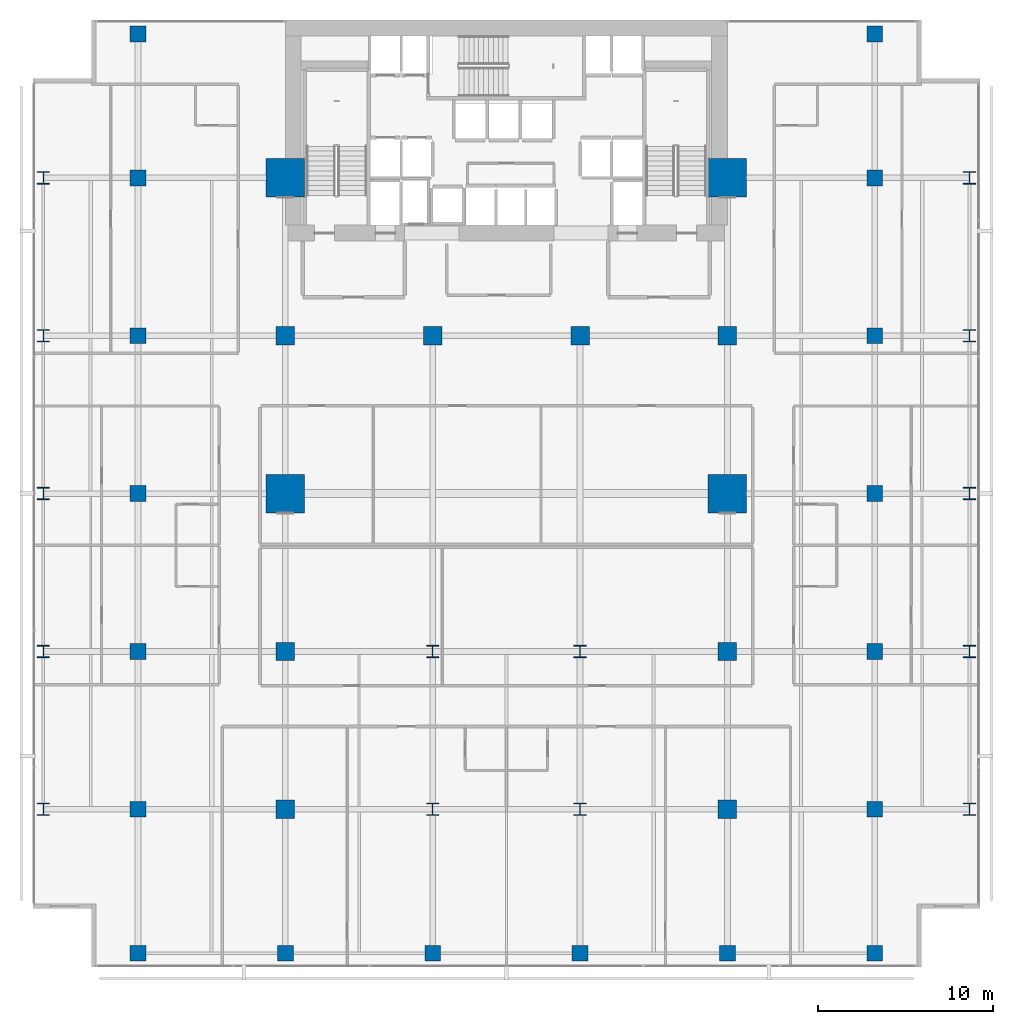
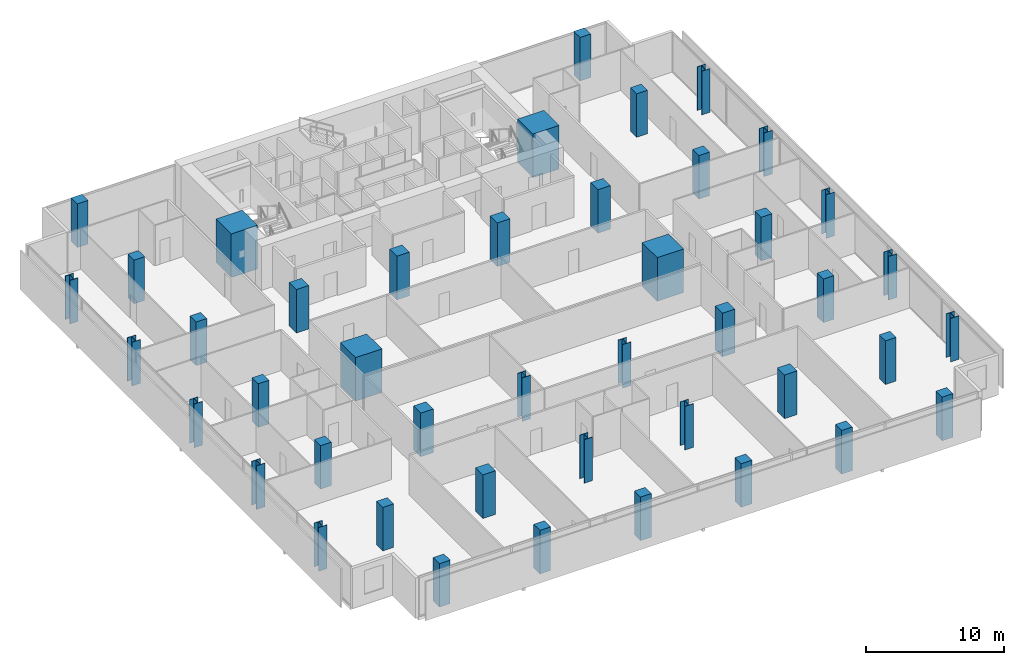
# One storey, part 1 of 39: 44 columns.
"""IFC4 building model written with IfcOpenShell, lengths in metres."""

from ifc_helpers import new_model, si_unit, direction, frame, origin, origin_2d, place, context, subcontext, project, spatial, rectangle, i_section, extrude, material, material_profile, profile_set, type_object, element, save


model = new_model("IFC4")

# Units and contexts
model_context = context("Model", 3, precision=1e-05, world=origin(), true_north=direction((0.0, 1.0)))
body_context = subcontext(model_context, "Body", "Model", "MODEL_VIEW")
ifc_project = project(units=[si_unit("LENGTHUNIT", "METRE"), si_unit("AREAUNIT", "SQUARE_METRE"), si_unit("VOLUMEUNIT", "CUBIC_METRE"), si_unit("PLANEANGLEUNIT", "RADIAN"), si_unit("MASSUNIT", "GRAM", prefix="KILO")], contexts=[model_context])

# Site, building, storey
site_placement = place(None, origin())
site = spatial("IfcSite", under=ifc_project, at=site_placement, CompositionType="ELEMENT")
building_placement = place(site_placement, origin())
building = spatial("IfcBuilding", under=site, at=building_placement, Name="Maruvema Waterfront Hotel and Observation Tower", CompositionType="ELEMENT")
storey_placement = place(building_placement, frame((0.0, 0.0, 111.64990234375)))
storey = spatial("IfcBuildingStorey", under=building, at=storey_placement, Name="L27", CompositionType="ELEMENT", Elevation=111.64990234375)

# Columns
ifc_material_1 = material(Name="Concrete C80/95", Category="concrete")
ifc_material_profile_1 = material_profile(ifc_material_1, rectangle(XDim=2.199951171875, YDim=2.199951171875, at=origin_2d()), Name="MC2200x2200")
ifc_profile_set_1 = profile_set([ifc_material_profile_1], Name="Concrete C80/95")
column_type_1 = type_object("IfcColumnType", Name="Continuous Mega-Column MC2200x2200", PredefinedType="COLUMN", material=ifc_profile_set_1)
for number, where, z_axis, x_axis, name in (
    (1, (25.199951171875, 27.0, 0.0), (0.0, 0.0, 1.0), (1.0, 0.0, 0.0), "L27 Continuous Mega-Column MC-01"),
    (2, (50.39990234375, 27.0, 0.0), (0.0, 0.0, 1.0), (1.0, 0.0, 0.0), "L27 Continuous Mega-Column MC-02"),
    (3, (25.199951171875, 45.0, 0.0), (0.0, 0.0, 1.0), (1.0, 0.0, 0.0), "L27 Continuous Mega-Column MC-03"),
    (4, (50.39990234375, 45.0, 0.0), (0.0, 0.0, 1.0), (1.0, 0.0, 0.0), "L27 Continuous Mega-Column MC-04"),
):
    element("IfcColumn", number, at=place(storey_placement, frame(where, z_axis=z_axis, x_axis=x_axis)), inside=storey, type_object=column_type_1, Name=name, PredefinedType="COLUMN", context=body_context, shape_type="SweptSolid", body=[
        extrude(rectangle(XDim=2.199951171875, YDim=2.199951171875, at=origin_2d()), origin(), (0.0, 0.0, 1.0), 3.85009765625),
    ])
ifc_material_2 = material(Name="Concrete C60/75", Category="concrete")
ifc_material_profile_2 = material_profile(ifc_material_2, rectangle(XDim=1.050048828125, YDim=1.050048828125, at=origin_2d()), Name="RC1050x1050")
ifc_profile_set_2 = profile_set([ifc_material_profile_2], Name="Concrete C60/75")
column_type_2 = type_object("IfcColumnType", Name="Reinforced Concrete Column RC1050x1050", PredefinedType="COLUMN", material=ifc_profile_set_2)
for number, where, z_axis, x_axis, name in (
    (5, (25.199951171875, 36.0, 0.0), (0.0, 0.0, 1.0), (1.0, 0.0, 0.0), "L27 Column C-4E"),
    (6, (33.60009765625, 36.0, 0.0), (0.0, 0.0, 1.0), (1.0, 0.0, 0.0), "L27 Column C-5E"),
    (7, (42.0, 36.0, 0.0), (0.0, 0.0, 1.0), (1.0, 0.0, 0.0), "L27 Column C-6E"),
    (8, (50.39990234375, 36.0, 0.0), (0.0, 0.0, 1.0), (1.0, 0.0, 0.0), "L27 Column C-7E"),
    (9, (25.199951171875, 18.0, 0.0), (0.0, 0.0, 1.0), (1.0, 0.0, 0.0), "L27 Column C-4C"),
    (10, (50.39990234375, 18.0, 0.0), (0.0, 0.0, 1.0), (1.0, 0.0, 0.0), "L27 Column C-7C"),
    (11, (25.199951171875, 9.0, 0.0), (0.0, 0.0, 1.0), (1.0, 0.0, 0.0), "L27 Column C-4B"),
    (12, (50.39990234375, 9.0, 0.0), (0.0, 0.0, 1.0), (1.0, 0.0, 0.0), "L27 Column C-7B"),
):
    element("IfcColumn", number, at=place(storey_placement, frame(where, z_axis=z_axis, x_axis=x_axis)), inside=storey, type_object=column_type_2, Name=name, PredefinedType="COLUMN", context=body_context, shape_type="SweptSolid", body=[
        extrude(rectangle(XDim=1.050048828125, YDim=1.050048828125, at=origin_2d()), origin(), (0.0, 0.0, 1.0), 3.85009765625),
    ])
ifc_material_3 = material(Name="Concrete C60/75", Category="concrete")
ifc_material_profile_3 = material_profile(ifc_material_3, rectangle(XDim=0.89990234375, YDim=0.89990234375, at=origin_2d()), Name="RC900x900")
ifc_profile_set_3 = profile_set([ifc_material_profile_3], Name="Concrete C60/75")
column_type_3 = type_object("IfcColumnType", Name="Reinforced Concrete Column RC900x900", PredefinedType="COLUMN", material=ifc_profile_set_3)
for number, where, z_axis, x_axis, name in (
    (13, (16.800048828125, 9.0, 0.0), (0.0, 0.0, 1.0), (1.0, 0.0, 0.0), "L27 Column C-3Y9"),
    (14, (58.800048828125, 9.0, 0.0), (0.0, 0.0, 1.0), (1.0, 0.0, 0.0), "L27 Column C-8Y9"),
    (15, (16.800048828125, 18.0, 0.0), (0.0, 0.0, 1.0), (1.0, 0.0, 0.0), "L27 Column C-3Y18"),
    (16, (58.800048828125, 18.0, 0.0), (0.0, 0.0, 1.0), (1.0, 0.0, 0.0), "L27 Column C-8Y18"),
    (17, (16.800048828125, 27.0, 0.0), (0.0, 0.0, 1.0), (1.0, 0.0, 0.0), "L27 Column C-3Y27"),
    (18, (58.800048828125, 27.0, 0.0), (0.0, 0.0, 1.0), (1.0, 0.0, 0.0), "L27 Column C-8Y27"),
    (19, (16.800048828125, 36.0, 0.0), (0.0, 0.0, 1.0), (1.0, 0.0, 0.0), "L27 Column C-3Y36"),
    (20, (58.800048828125, 36.0, 0.0), (0.0, 0.0, 1.0), (1.0, 0.0, 0.0), "L27 Column C-8Y36"),
    (21, (16.800048828125, 45.0, 0.0), (0.0, 0.0, 1.0), (1.0, 0.0, 0.0), "L27 Column C-3Y45"),
    (22, (58.800048828125, 45.0, 0.0), (0.0, 0.0, 1.0), (1.0, 0.0, 0.0), "L27 Column C-8Y45"),
    (23, (16.800048828125, 0.800048828125, 0.0), (0.0, 0.0, 1.0), (1.0, 0.0, 0.0), "L27 Column C-3A"),
    (24, (25.199951171875, 0.800048828125, 0.0), (0.0, 0.0, 1.0), (1.0, 0.0, 0.0), "L27 Column C-4A"),
    (25, (33.60009765625, 0.800048828125, 0.0), (0.0, 0.0, 1.0), (1.0, 0.0, 0.0), "L27 Column C-5A"),
    (26, (42.0, 0.800048828125, 0.0), (0.0, 0.0, 1.0), (1.0, 0.0, 0.0), "L27 Column C-6A"),
    (27, (50.39990234375, 0.800048828125, 0.0), (0.0, 0.0, 1.0), (1.0, 0.0, 0.0), "L27 Column C-7A"),
    (28, (58.800048828125, 0.800048828125, 0.0), (0.0, 0.0, 1.0), (1.0, 0.0, 0.0), "L27 Column C-8A"),
    (29, (16.800048828125, 53.199951171875, 0.0), (0.0, 0.0, 1.0), (1.0, 0.0, 0.0), "L27 Column C-3G"),
    (30, (58.800048828125, 53.199951171875, 0.0), (0.0, 0.0, 1.0), (1.0, 0.0, 0.0), "L27 Column C-8G"),
):
    element("IfcColumn", number, at=place(storey_placement, frame(where, z_axis=z_axis, x_axis=x_axis)), inside=storey, type_object=column_type_3, Name=name, PredefinedType="COLUMN", context=body_context, shape_type="SweptSolid", body=[
        extrude(rectangle(XDim=0.89990234375, YDim=0.89990234375, at=origin_2d()), origin(), (0.0, 0.0, 1.0), 3.85009765625),
    ])
ifc_material_4 = material(Name="Steel ABNT NBR 7007 AR 415 (ASTM A572 Grade 50)", Category="steel")
ifc_material_profile_4 = material_profile(ifc_material_4, i_section(OverallWidth=0.699951171875, OverallDepth=0.699951171875, WebThickness=0.028076171875, FlangeThickness=0.0439453125, at=origin_2d()), Name="CVS700x436")
ifc_profile_set_4 = profile_set([ifc_material_profile_4], Name="Steel ABNT NBR 7007 AR 415 (ASTM A572 Grade 50)")
column_type_4 = type_object("IfcColumnType", Name="Structural Steel Column CVS700x436", PredefinedType="COLUMN", material=ifc_profile_set_4)
for number, where, z_axis, x_axis, name in (
    (31, (33.60009765625, 9.0, 0.0), (0.0, 0.0, 1.0), (1.0, 0.0, 0.0), "L27 Column C-5B"),
    (32, (42.0, 9.0, 0.0), (0.0, 0.0, 1.0), (1.0, 0.0, 0.0), "L27 Column C-6B"),
    (33, (33.60009765625, 18.0, 0.0), (0.0, 0.0, 1.0), (1.0, 0.0, 0.0), "L27 Column C-5C"),
    (34, (42.0, 18.0, 0.0), (0.0, 0.0, 1.0), (1.0, 0.0, 0.0), "L27 Column C-6C"),
    (35, (11.39990234375, 9.0, 0.0), (0.0, 0.0, 1.0), (1.0, 0.0, 0.0), "L27 Column C-Z1W9"),
    (36, (64.199951171875, 9.0, 0.0), (0.0, 0.0, 1.0), (1.0, 0.0, 0.0), "L27 Column C-Z1E9"),
    (37, (11.39990234375, 18.0, 0.0), (0.0, 0.0, 1.0), (1.0, 0.0, 0.0), "L27 Column C-Z1W18"),
    (38, (64.199951171875, 18.0, 0.0), (0.0, 0.0, 1.0), (1.0, 0.0, 0.0), "L27 Column C-Z1E18"),
    (39, (11.39990234375, 27.0, 0.0), (0.0, 0.0, 1.0), (1.0, 0.0, 0.0), "L27 Column C-Z1W27"),
    (40, (64.199951171875, 27.0, 0.0), (0.0, 0.0, 1.0), (1.0, 0.0, 0.0), "L27 Column C-Z1E27"),
    (41, (11.39990234375, 36.0, 0.0), (0.0, 0.0, 1.0), (1.0, 0.0, 0.0), "L27 Column C-Z1W36"),
    (42, (64.199951171875, 36.0, 0.0), (0.0, 0.0, 1.0), (1.0, 0.0, 0.0), "L27 Column C-Z1E36"),
    (43, (11.39990234375, 45.0, 0.0), (0.0, 0.0, 1.0), (1.0, 0.0, 0.0), "L27 Column C-Z1W45"),
    (44, (64.199951171875, 45.0, 0.0), (0.0, 0.0, 1.0), (1.0, 0.0, 0.0), "L27 Column C-Z1E45"),
):
    element("IfcColumn", number, at=place(storey_placement, frame(where, z_axis=z_axis, x_axis=x_axis)), inside=storey, type_object=column_type_4, Name=name, PredefinedType="COLUMN", context=body_context, shape_type="SweptSolid", body=[
        extrude(i_section(OverallWidth=0.699951171875, OverallDepth=0.699951171875, WebThickness=0.028076171875, FlangeThickness=0.0439453125, at=origin_2d()), origin(), (0.0, 0.0, 1.0), 3.85009765625),
    ])

save(model, "model.ifc")
